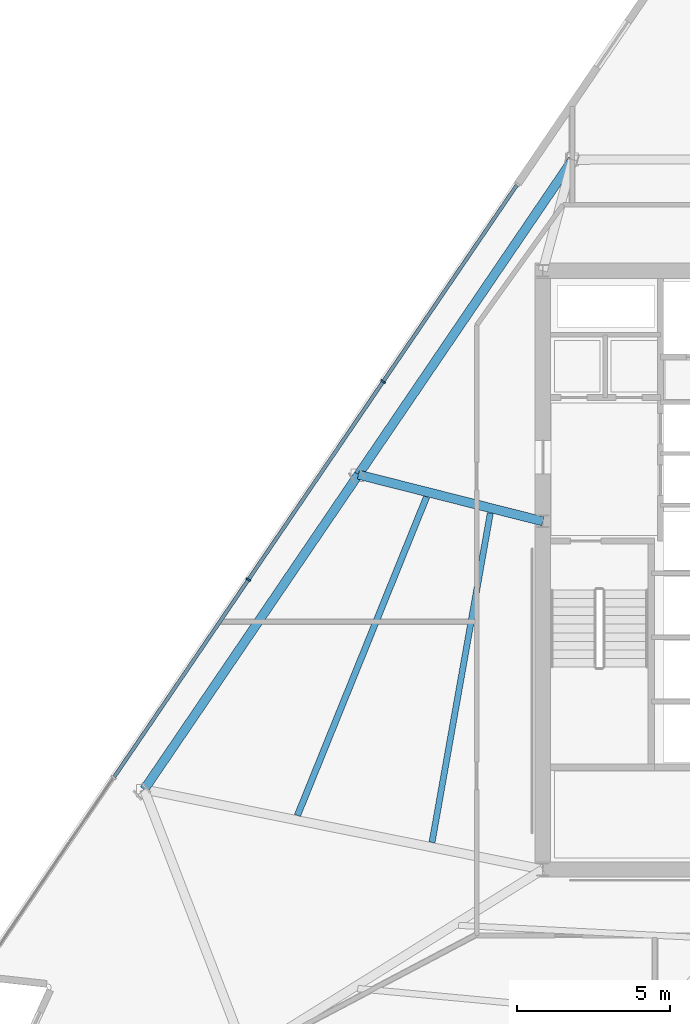
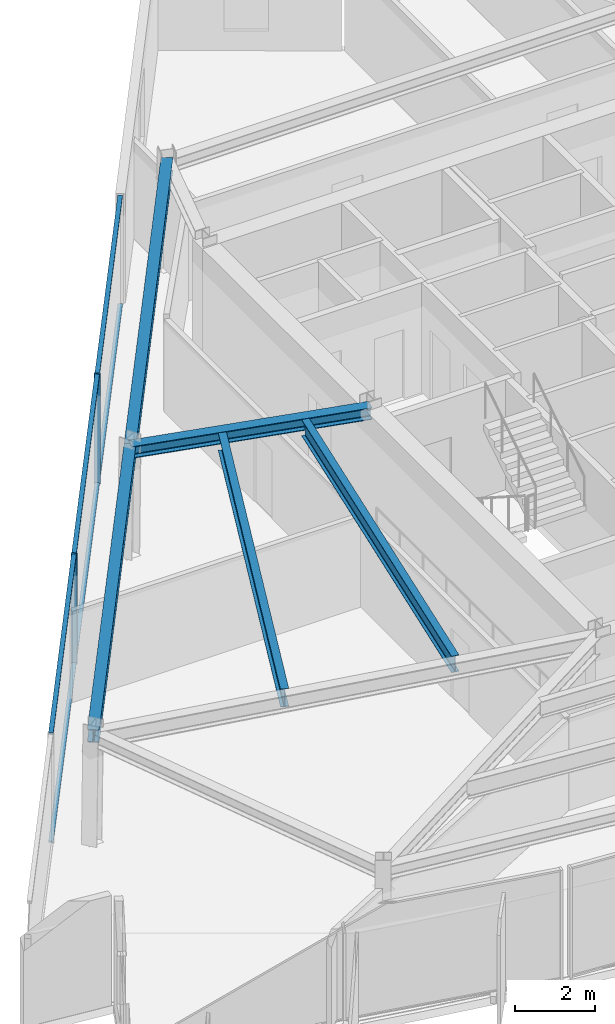
# One storey, part 3 of 12: 8 members, 5 beams, 1 element without a shape of its own.
"""IFC4 building model written with IfcOpenShell, lengths in metres."""

from ifc_helpers import new_model, si_unit, direction, frame, origin, origin_2d, place, context, subcontext, project, spatial, rectangle, i_section, extrude, material, material_profile, profile_set, type_object, element, aggregate, save


model = new_model("IFC4")

# Units and contexts
model_context = context("Model", 3, precision=1e-05, world=origin(), true_north=direction((0.0, 1.0)))
body_context = subcontext(model_context, "Body", "Model", "MODEL_VIEW")
ifc_project = project(units=[si_unit("LENGTHUNIT", "METRE"), si_unit("AREAUNIT", "SQUARE_METRE"), si_unit("VOLUMEUNIT", "CUBIC_METRE"), si_unit("PLANEANGLEUNIT", "RADIAN"), si_unit("MASSUNIT", "GRAM", prefix="KILO")], contexts=[model_context])

# Site, building, storey
site_placement = place(None, origin())
site = spatial("IfcSite", under=ifc_project, at=site_placement, CompositionType="ELEMENT")
building_placement = place(site_placement, origin())
building = spatial("IfcBuilding", under=site, at=building_placement, Name="Savorim Split Tower", CompositionType="ELEMENT")
storey_placement = place(building_placement, frame((0.0, 0.0, 171.0)))
storey = spatial("IfcBuildingStorey", under=building, at=storey_placement, Name="L45", CompositionType="ELEMENT", Elevation=171.0)

# Beams
ifc_material_1 = material(Name="Steel S355", Category="steel")
ifc_material_profile_1 = material_profile(ifc_material_1, i_section(OverallWidth=0.199951171875, OverallDepth=0.5, WebThickness=0.01025390625, FlangeThickness=0.01611328125, FilletRadius=0.02099609375, at=origin_2d()), Name="IPE 500")
ifc_profile_set_1 = profile_set([ifc_material_profile_1], Name="Steel S355")
beam_type_1 = type_object("IfcBeamType", Name="BM-JST-IPE500", PredefinedType="JOIST", material=ifc_profile_set_1)
beam_1_placement = place(storey_placement, frame((-9.41845703125, 2.27001953125, 3.10009765625), z_axis=(-0.174275153773, -0.984696994398, 0.0), x_axis=(0.984696994398, -0.174275153773, 0.0)))
element("IfcBeam", 1, at=beam_1_placement, inside=storey, type_object=beam_type_1, Name="L45 Secondary Floor Joist JS-11", PredefinedType="JOIST", context=body_context, shape_type="SweptSolid", body=[
    extrude(i_section(OverallWidth=0.199951171875, OverallDepth=0.5, WebThickness=0.01025390625, FlangeThickness=0.01611328125, FilletRadius=0.02099609375, at=origin_2d()), origin(), (0.0, 0.0, 1.0), 10.946533203125),
])
ifc_material_profile_2 = material_profile(ifc_material_1, i_section(OverallWidth=0.2099609375, OverallDepth=0.550048828125, WebThickness=0.010986328125, FlangeThickness=0.01708984375, FilletRadius=0.02392578125, at=origin_2d()), Name="IPE 550")
ifc_profile_set_2 = profile_set([ifc_material_profile_2], Name="Steel S355")
beam_type_2 = type_object("IfcBeamType", Name="BM-JST-IPE550", PredefinedType="JOIST", material=ifc_profile_set_2)
beam_2_placement = place(storey_placement, frame((-11.50341796875, 2.798583984375, 3.074951171875), z_axis=(-0.375748929375, -0.926721501895, 0.0), x_axis=(0.926721501895, -0.375748929375, 0.0)))
element("IfcBeam", 2, at=beam_2_placement, inside=storey, type_object=beam_type_2, Name="L45 Secondary Floor Joist JS-10", PredefinedType="JOIST", context=body_context, shape_type="SweptSolid", body=[
    extrude(i_section(OverallWidth=0.2099609375, OverallDepth=0.550048828125, WebThickness=0.010986328125, FlangeThickness=0.01708984375, FilletRadius=0.02392578125, at=origin_2d()), origin(), (0.0, 0.0, 1.0), 11.2509765625),
])
ifc_material_profile_3 = material_profile(ifc_material_1, i_section(OverallWidth=0.300048828125, OverallDepth=0.360107421875, WebThickness=0.012451171875, FlangeThickness=0.0224609375, FilletRadius=0.027099609375, at=origin_2d()), Name="HEB 360")
ifc_profile_set_3 = profile_set([ifc_material_profile_3], Name="Steel S355")
beam_type_3 = type_object("IfcBeamType", Name="BM-PRI-HEB360", PredefinedType="BEAM", material=ifc_profile_set_3)
beam_3_placement = place(storey_placement, frame((-13.737548828125, 3.527099609375, 3.169921875), z_axis=(0.969470069109, -0.24520967579, 0.0), x_axis=(0.24520967579, 0.969470069109, 0.0)))
element("IfcBeam", 3, at=beam_3_placement, inside=storey, type_object=beam_type_3, Name="L45 Primary Floor Girder RG-09", PredefinedType="BEAM", context=body_context, shape_type="SweptSolid", body=[
    extrude(i_section(OverallWidth=0.300048828125, OverallDepth=0.360107421875, WebThickness=0.012451171875, FlangeThickness=0.0224609375, FilletRadius=0.027099609375, at=origin_2d()), origin(), (0.0, 0.0, 1.0), 6.227783203125),
])
ifc_material_profile_4 = material_profile(ifc_material_1, i_section(OverallWidth=0.300048828125, OverallDepth=0.389892578125, WebThickness=0.010986328125, FlangeThickness=0.01904296875, FilletRadius=0.027099609375, at=origin_2d()), Name="HEA 400")
ifc_profile_set_4 = profile_set([ifc_material_profile_4], Name="Steel S355")
beam_type_4 = type_object("IfcBeamType", Name="BM-SPN-HEA400", PredefinedType="SPANDREL", material=ifc_profile_set_4)
beam_4_placement = place(storey_placement, frame((-6.72509765625, 13.83544921875, 3.155029296875), z_axis=(-0.562462128154, -0.826823049021, 0.0), x_axis=(0.826823049021, -0.562462128154, 0.0)))
element("IfcBeam", 4, at=beam_4_placement, inside=storey, type_object=beam_type_4, Name="L45 Perimeter Spandrel Beam 8", PredefinedType="SPANDREL", context=body_context, shape_type="SweptSolid", body=[
    extrude(i_section(OverallWidth=0.300048828125, OverallDepth=0.389892578125, WebThickness=0.010986328125, FlangeThickness=0.01904296875, FilletRadius=0.027099609375, at=origin_2d()), origin(), (0.0, 0.0, 1.0), 12.467529296875),
])
beam_5_placement = place(storey_placement, frame((-13.737548828125, 3.527099609375, 3.155029296875), z_axis=(-0.562471235142, -0.826816853746, 0.0), x_axis=(0.826816853746, -0.562471235142, 0.0)))
element("IfcBeam", 5, at=beam_5_placement, inside=storey, type_object=beam_type_4, Name="L45 Perimeter Spandrel Beam 9", PredefinedType="SPANDREL", context=body_context, shape_type="SweptSolid", body=[
    extrude(i_section(OverallWidth=0.300048828125, OverallDepth=0.389892578125, WebThickness=0.010986328125, FlangeThickness=0.01904296875, FilletRadius=0.027099609375, at=origin_2d()), origin(), (0.0, 0.0, 1.0), 12.46728515625),
])

# Curtain wall, members
ifc_material_2 = material(Name="Dark Ceramic-Fritted Insulated Glass", Category="glass")
curtain_wall_type = type_object("IfcCurtainWallType", Name="CW-TWR-FRIT-B", PredefinedType="NOTDEFINED", material=ifc_material_2)
curtain_wall_placement = place(storey_placement, origin())
curtain_wall = element("IfcCurtainWall", 6, at=curtain_wall_placement, inside=storey, type_object=curtain_wall_type, Name="L45 Curtain Wall CW-L45-WEST", PredefinedType="NOTDEFINED")
ifc_material_3 = material(Name="Charcoal Anodised Aluminium", Category="aluminium")
ifc_material_profile_5 = material_profile(ifc_material_3, rectangle(XDim=0.159912109375, YDim=0.06005859375, at=origin_2d()), Name="ALU-M 160x60")
ifc_profile_set_5 = profile_set([ifc_material_profile_5], Name="Charcoal Anodised Aluminium")
member_type_1 = type_object("IfcMemberType", Name="CWM-160x60", PredefinedType="MULLION", material=ifc_profile_set_5)
member_1_placement = place(storey_placement, frame((-12.926513671875, 6.571533203125, 0.0), z_axis=(0.0, 0.0, 1.0), x_axis=(0.826819248854, -0.562467714384, 0.0)))
member_1 = element("IfcMember", 7, at=member_1_placement, type_object=member_type_1, Name="CW-03 mullion 2", PredefinedType="MULLION", context=body_context, shape_type="SweptSolid", body=[
    extrude(rectangle(XDim=0.159912109375, YDim=0.06005859375, at=origin_2d()), origin(), (0.0, 0.0, 1.0), 3.35009765625),
])
member_2_placement = place(storey_placement, frame((-17.336181640625, 0.089599609375, 0.0), z_axis=(0.0, 0.0, 1.0), x_axis=(0.826819248854, -0.562467714384, 0.0)))
member_2 = element("IfcMember", 8, at=member_2_placement, type_object=member_type_1, Name="CW-03 mullion 3", PredefinedType="MULLION", context=body_context, shape_type="SweptSolid", body=[
    extrude(rectangle(XDim=0.159912109375, YDim=0.06005859375, at=origin_2d()), origin(), (0.0, 0.0, 1.0), 3.35009765625),
])
ifc_material_profile_6 = material_profile(ifc_material_3, rectangle(XDim=0.1201171875, YDim=0.050048828125, at=origin_2d()), Name="ALU-T 120x50")
ifc_profile_set_6 = profile_set([ifc_material_profile_6], Name="Charcoal Anodised Aluminium")
member_type_2 = type_object("IfcMemberType", Name="CWT-120x50", PredefinedType="USERDEFINED", material=ifc_profile_set_6)
member_3_placement = place(storey_placement, frame((-8.55078125, 13.00390625, 0.02490234375), z_axis=(-0.56245477499, -0.826828051103, 0.0), x_axis=(0.826828051103, -0.56245477499, 0.0)))
member_3 = element("IfcMember", 9, at=member_3_placement, type_object=member_type_2, Name="CW-03 transom 1.1", ObjectType="TRANSOM", PredefinedType="USERDEFINED", context=body_context, shape_type="SweptSolid", body=[
    extrude(rectangle(XDim=0.1201171875, YDim=0.050048828125, at=origin_2d()), origin(), (0.0, 0.0, 1.0), 7.749755859375),
])
member_4_placement = place(storey_placement, frame((-8.55078125, 13.00390625, 3.324951171875), z_axis=(-0.56245477499, -0.826828051103, 0.0), x_axis=(0.826828051103, -0.56245477499, 0.0)))
member_4 = element("IfcMember", 10, at=member_4_placement, type_object=member_type_2, Name="CW-03 transom 1.2", ObjectType="TRANSOM", PredefinedType="USERDEFINED", context=body_context, shape_type="SweptSolid", body=[
    extrude(rectangle(XDim=0.1201171875, YDim=0.050048828125, at=origin_2d()), origin(), (0.0, 0.0, 1.0), 7.749755859375),
])
member_5_placement = place(storey_placement, frame((-12.943359375, 6.546630859375, 0.02490234375), z_axis=(-0.562497133678, -0.826799234763, 0.0), x_axis=(0.826799234763, -0.562497133678, 0.0)))
member_5 = element("IfcMember", 11, at=member_5_placement, type_object=member_type_2, Name="CW-03 transom 2.1", ObjectType="TRANSOM", PredefinedType="USERDEFINED", context=body_context, shape_type="SweptSolid", body=[
    extrude(rectangle(XDim=0.1201171875, YDim=0.050048828125, at=origin_2d()), origin(), (0.0, 0.0, 1.0), 7.779541015625),
])
member_6_placement = place(storey_placement, frame((-12.943359375, 6.546630859375, 3.324951171875), z_axis=(-0.562497133678, -0.826799234763, 0.0), x_axis=(0.826799234763, -0.562497133678, 0.0)))
member_6 = element("IfcMember", 12, at=member_6_placement, type_object=member_type_2, Name="CW-03 transom 2.2", ObjectType="TRANSOM", PredefinedType="USERDEFINED", context=body_context, shape_type="SweptSolid", body=[
    extrude(rectangle(XDim=0.1201171875, YDim=0.050048828125, at=origin_2d()), origin(), (0.0, 0.0, 1.0), 7.779541015625),
])
member_7_placement = place(storey_placement, frame((-17.35302734375, 0.064697265625, 0.02490234375), z_axis=(-0.562475680235, -0.826813829798, 0.0), x_axis=(0.826813829798, -0.562475680235, 0.0)))
member_7 = element("IfcMember", 13, at=member_7_placement, type_object=member_type_2, Name="CW-03 transom 3.1", ObjectType="TRANSOM", PredefinedType="USERDEFINED", context=body_context, shape_type="SweptSolid", body=[
    extrude(rectangle(XDim=0.1201171875, YDim=0.050048828125, at=origin_2d()), origin(), (0.0, 0.0, 1.0), 7.779296875),
])
member_8_placement = place(storey_placement, frame((-17.35302734375, 0.064697265625, 3.324951171875), z_axis=(-0.562475680235, -0.826813829798, 0.0), x_axis=(0.826813829798, -0.562475680235, 0.0)))
member_8 = element("IfcMember", 14, at=member_8_placement, type_object=member_type_2, Name="CW-03 transom 3.2", ObjectType="TRANSOM", PredefinedType="USERDEFINED", context=body_context, shape_type="SweptSolid", body=[
    extrude(rectangle(XDim=0.1201171875, YDim=0.050048828125, at=origin_2d()), origin(), (0.0, 0.0, 1.0), 7.779296875),
])
aggregate(curtain_wall, [member_1, member_2, member_3, member_4, member_5, member_6, member_7, member_8])

save(model, "model.ifc")
